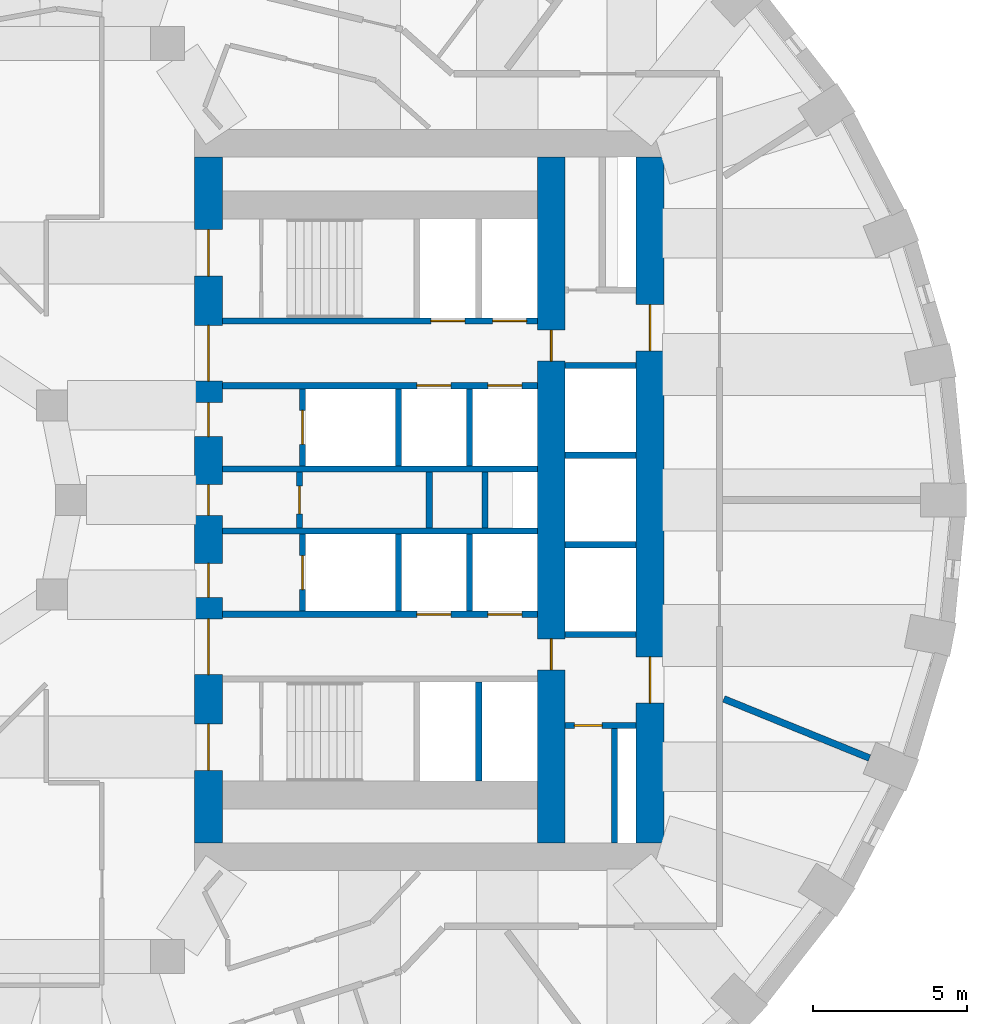
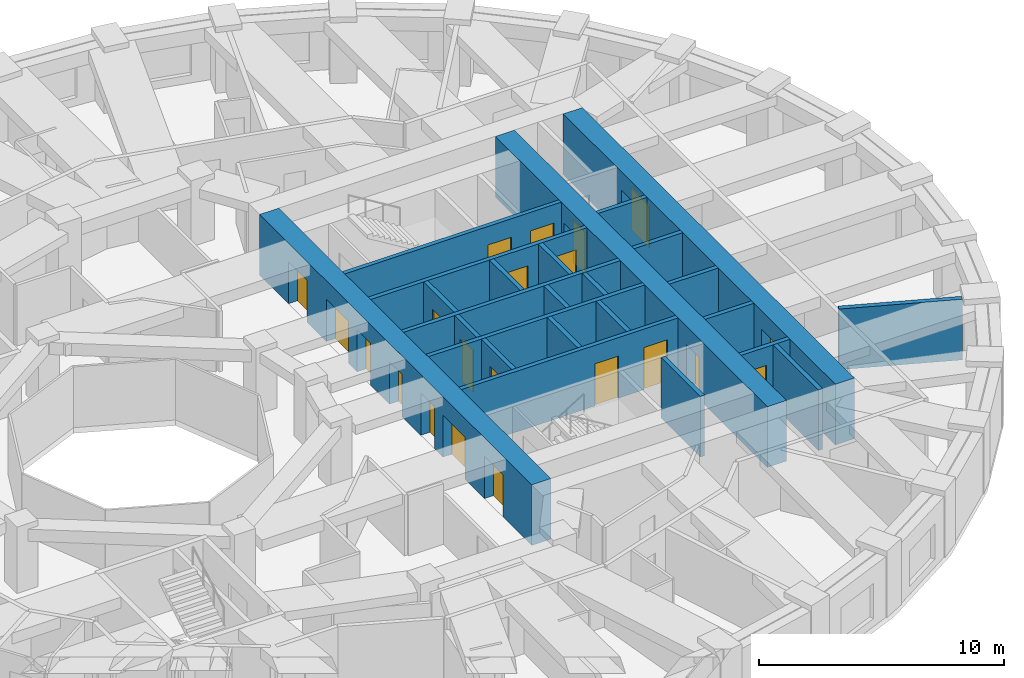
# One storey, part 6 of 13: 25 walls, 21 doors, 21 openings.
"""IFC4 building model written with IfcOpenShell, lengths in metres."""

from ifc_helpers import new_model, si_unit, direction, frame, frame_2d, origin, place, context, subcontext, project, spatial, rectangle, extrude, material, layer, layer_set, type_object, element, fill, save


model = new_model("IFC4")

# Units and contexts
model_context = context("Model", 3, precision=1e-05, world=origin(), true_north=direction((0.0, 1.0)))
body_context = subcontext(model_context, "Body", "Model", "MODEL_VIEW")
ifc_project = project(units=[si_unit("LENGTHUNIT", "METRE"), si_unit("AREAUNIT", "SQUARE_METRE"), si_unit("VOLUMEUNIT", "CUBIC_METRE"), si_unit("PLANEANGLEUNIT", "RADIAN"), si_unit("MASSUNIT", "GRAM", prefix="KILO")], contexts=[model_context])

# Site, building, storey
site_placement = place(None, origin())
site = spatial("IfcSite", under=ifc_project, at=site_placement, CompositionType="ELEMENT")
building_placement = place(site_placement, origin())
building = spatial("IfcBuilding", under=site, at=building_placement, Name="Taillehof Tower", CompositionType="ELEMENT")
storey_placement = place(building_placement, frame((0.0, 0.0, 48.10009765625)))
storey = spatial("IfcBuildingStorey", under=building, at=storey_placement, Name="L12", CompositionType="ELEMENT", Elevation=48.10009765625)

# Wall, opening, door
ifc_material_1 = material(Name="Calcium silicate masonry", Category="masonry")
ifc_layer_1 = layer(ifc_material_1, 0.199951171875)
ifc_layer_set_1 = layer_set([ifc_layer_1], Name="Compartment wall calcium silicate 200")
wall_type_1 = type_object("IfcWallType", Name="Compartment wall calcium silicate 200", PredefinedType="PARTITIONING", material=ifc_layer_set_1)
wall_1_placement = place(storey_placement, frame((7.39990234375, -0.89990234375, 0.0), z_axis=(0.0, 0.0, 1.0), x_axis=(0.0, 1.0, 0.0)))
wall_1 = element("IfcWall", 1, at=wall_1_placement, inside=storey, type_object=wall_type_1, Name="Compartment wall FW", PredefinedType="PARTITIONING", context=body_context, shape_type="SweptSolid", body=[
    extrude(rectangle(XDim=1.7998046875, YDim=0.199951171875, at=frame_2d((0.89990234375, 0.0))), origin(), (0.0, 0.0, 1.0), 3.02001953125),
])
opening_1_placement = place(wall_1_placement, frame((0.449951171875, 0.0, 0.0)))
opening_1 = element("IfcOpeningElement", 2, at=opening_1_placement, cuts=wall_1, Name="Opening D1214", PredefinedType="OPENING", context=body_context, shape_type="SweptSolid", body=[
    extrude(rectangle(XDim=0.89990234375, YDim=2.10009765625, at=frame_2d((0.449951171875, 1.050048828125))), frame((0.0, 0.10986328125, 0.0), z_axis=(0.0, -1.0, 0.0), x_axis=(1.0, 0.0, 0.0)), (0.0, 0.0, 1.0), 0.219970703125),
])
ifc_material_2 = material(Name="Steel-faced fire door", Category="steel")
door_type_1 = type_object("IfcDoorType", Name="Riser and service room door 900x2100", OperationType="SINGLE_SWING_LEFT", PredefinedType="DOOR", material=ifc_material_2)
door_1_placement = place(opening_1_placement, origin())
door_1 = element("IfcDoor", 3, at=door_1_placement, inside=storey, type_object=door_type_1, Name="Door Linen Store", OperationType="SINGLE_SWING_RIGHT", OverallHeight=2.10009765625, OverallWidth=0.89990234375, PredefinedType="DOOR", context=body_context, shape_type="SweptSolid", body=[
    extrude(rectangle(XDim=0.89990234375, YDim=2.10009765625, at=frame_2d((0.449951171875, 1.050048828125))), frame((0.0, 0.02490234375, 0.0), z_axis=(0.0, -1.0, 0.0), x_axis=(1.0, 0.0, 0.0)), (0.0, 0.0, 1.0), 0.050048828125),
])
fill(opening_1, door_1)

# Walls
for number, where, z_axis, x_axis, name in (
    (4, (11.60009765625, -0.89990234375, 0.0), (0.0, 0.0, 1.0), (0.0, 1.0, 0.0), "Compartment wall FW"),
    (5, (13.39990234375, -0.89990234375, 0.0), (0.0, 0.0, 1.0), (0.0, 1.0, 0.0), "Compartment wall FW"),
):
    element("IfcWall", number, at=place(storey_placement, frame(where, z_axis=z_axis, x_axis=x_axis)), inside=storey, type_object=wall_type_1, Name=name, PredefinedType="PARTITIONING", context=body_context, shape_type="SweptSolid", body=[
        extrude(rectangle(XDim=1.7998046875, YDim=0.199951171875, at=frame_2d((0.89990234375, 0.0))), origin(), (0.0, 0.0, 1.0), 3.02001953125),
    ])

# Wall, opening, door
wall_2_placement = place(storey_placement, frame((16.0, -7.300048828125, 0.0), z_axis=(0.0, 0.0, 1.0), x_axis=(1.0, 0.0, 0.0)))
wall_2 = element("IfcWall", 6, at=wall_2_placement, inside=storey, type_object=wall_type_1, Name="Compartment wall FW", PredefinedType="PARTITIONING", context=body_context, shape_type="SweptSolid", body=[
    extrude(rectangle(XDim=2.300048828125, YDim=0.199951171875, at=frame_2d((1.14990234375, 0.0))), origin(), (0.0, 0.0, 1.0), 3.02001953125),
])
opening_2_placement = place(wall_2_placement, frame((0.300048828125, 0.0, 0.0)))
opening_2 = element("IfcOpeningElement", 7, at=opening_2_placement, cuts=wall_2, Name="Opening D1218", PredefinedType="OPENING", context=body_context, shape_type="SweptSolid", body=[
    extrude(rectangle(XDim=0.89990234375, YDim=2.10009765625, at=frame_2d((0.449951171875, 1.050048828125))), frame((0.0, 0.10986328125, 0.0), z_axis=(0.0, -1.0, 0.0), x_axis=(1.0, 0.0, 0.0)), (0.0, 0.0, 1.0), 0.219970703125),
])
door_2_placement = place(opening_2_placement, origin())
door_2 = element("IfcDoor", 8, at=door_2_placement, inside=storey, type_object=door_type_1, Name="Door Store", OperationType="SINGLE_SWING_LEFT", OverallHeight=2.10009765625, OverallWidth=0.89990234375, PredefinedType="DOOR", context=body_context, shape_type="SweptSolid", body=[
    extrude(rectangle(XDim=0.89990234375, YDim=2.10009765625, at=frame_2d((0.449951171875, 1.050048828125))), frame((0.0, 0.02490234375, 0.0), z_axis=(0.0, -1.0, 0.0), x_axis=(1.0, 0.0, 0.0)), (0.0, 0.0, 1.0), 0.050048828125),
])
fill(opening_2, door_2)

# Walls
wall_3_placement = place(storey_placement, frame((17.60009765625, -11.10009765625, 0.0), z_axis=(0.0, 0.0, 1.0), x_axis=(0.0, 1.0, 0.0)))
element("IfcWall", 9, at=wall_3_placement, inside=storey, type_object=wall_type_1, Name="Compartment wall FW", PredefinedType="PARTITIONING", context=body_context, shape_type="SweptSolid", body=[
    extrude(rectangle(XDim=3.7001953125, YDim=0.199951171875, at=frame_2d((1.85009765625, 0.0))), origin(), (0.0, 0.0, 1.0), 3.02001953125),
])
ifc_material_3 = material(Name="Gypsum board on double steel studs with mineral wool", Category="steel")
ifc_layer_2 = layer(ifc_material_3, 0.219970703125)
ifc_layer_set_2 = layer_set([ifc_layer_2], Name="Compartment wall guest room 220")
wall_type_2 = type_object("IfcWallType", Name="Compartment wall guest room 220", PredefinedType="PARTITIONING", material=ifc_layer_set_2)
wall_4_placement = place(storey_placement, frame((25.851318359375, -8.35400390625, 0.0), z_axis=(0.0, 0.0, 1.0), x_axis=(-0.926538195631, 0.376200707118, 0.0)))
element("IfcWall", 10, at=wall_4_placement, inside=storey, type_object=wall_type_2, Name="Compartment wall", PredefinedType="PARTITIONING", context=body_context, shape_type="SweptSolid", body=[
    extrude(rectangle(XDim=5.087890625, YDim=0.219970703125, at=frame_2d((2.5439453125, 0.0))), origin(), (0.0, 0.0, 1.0), 3.02001953125),
])

# Wall, openings, doors
ifc_material_4 = material(Name="Concrete C80/95", Category="concrete")
ifc_layer_3 = layer(ifc_material_4, 0.89990234375)
ifc_layer_set_3 = layer_set([ifc_layer_3], Name="Core wall C80/95 900")
wall_type_3 = type_object("IfcWallType", Name="Core wall C80/95 900", PredefinedType="SHEAR", material=ifc_layer_set_3)
wall_5_placement = place(storey_placement, frame((4.449951171875, -11.10009765625, 0.0), z_axis=(0.0, 0.0, 1.0), x_axis=(0.0, 1.0, 0.0)))
wall_5 = element("IfcWall", 11, at=wall_5_placement, inside=storey, type_object=wall_type_3, Name="Core wall CW01", PredefinedType="SHEAR", context=body_context, shape_type="SweptSolid", body=[
    extrude(rectangle(XDim=22.2001953125, YDim=0.89990234375, at=frame_2d((11.10009765625, 0.0))), origin(), (0.0, 0.0, 1.0), 3.02001953125),
])
opening_3_placement = place(wall_5_placement, frame((2.35009765625, 0.0, 0.0)))
opening_3 = element("IfcOpeningElement", 12, at=opening_3_placement, cuts=wall_5, Name="Opening D1201", PredefinedType="OPENING", context=body_context, shape_type="SweptSolid", body=[
    extrude(rectangle(XDim=1.5, YDim=2.10009765625, at=frame_2d((0.75, 1.050048828125))), frame((0.0, 0.4599609375, 0.0), z_axis=(0.0, -1.0, 0.0), x_axis=(1.0, 0.0, 0.0)), (0.0, 0.0, 1.0), 0.919921875),
])
opening_4_placement = place(wall_5_placement, frame((5.449951171875, 0.0, 0.0)))
opening_4 = element("IfcOpeningElement", 13, at=opening_4_placement, cuts=wall_5, Name="Opening D1202", PredefinedType="OPENING", context=body_context, shape_type="SweptSolid", body=[
    extrude(rectangle(XDim=1.800048828125, YDim=2.10009765625, at=frame_2d((0.89990234375, 1.050048828125))), frame((0.0, 0.4599609375, 0.0), z_axis=(0.0, -1.0, 0.0), x_axis=(1.0, 0.0, 0.0)), (0.0, 0.0, 1.0), 0.919921875),
])
opening_5_placement = place(wall_5_placement, frame((7.949951171875, 0.0, 0.0)))
opening_5 = element("IfcOpeningElement", 14, at=opening_5_placement, cuts=wall_5, Name="Opening D1203", PredefinedType="OPENING", context=body_context, shape_type="SweptSolid", body=[
    extrude(rectangle(XDim=1.10009765625, YDim=2.10009765625, at=frame_2d((0.550048828125, 1.050048828125))), frame((0.0, 0.4599609375, 0.0), z_axis=(0.0, -1.0, 0.0), x_axis=(1.0, 0.0, 0.0)), (0.0, 0.0, 1.0), 0.919921875),
])
opening_6_placement = place(wall_5_placement, frame((10.60009765625, 0.0, 0.0)))
opening_6 = element("IfcOpeningElement", 15, at=opening_6_placement, cuts=wall_5, Name="Opening D1204", PredefinedType="OPENING", context=body_context, shape_type="SweptSolid", body=[
    extrude(rectangle(XDim=1.0, YDim=2.10009765625, at=frame_2d((0.5, 1.050048828125))), frame((0.0, 0.4599609375, 0.0), z_axis=(0.0, -1.0, 0.0), x_axis=(1.0, 0.0, 0.0)), (0.0, 0.0, 1.0), 0.919921875),
])
opening_7_placement = place(wall_5_placement, frame((13.14990234375, 0.0, 0.0)))
opening_7 = element("IfcOpeningElement", 16, at=opening_7_placement, cuts=wall_5, Name="Opening D1205", PredefinedType="OPENING", context=body_context, shape_type="SweptSolid", body=[
    extrude(rectangle(XDim=1.10009765625, YDim=2.10009765625, at=frame_2d((0.550048828125, 1.050048828125))), frame((0.0, 0.4599609375, 0.0), z_axis=(0.0, -1.0, 0.0), x_axis=(1.0, 0.0, 0.0)), (0.0, 0.0, 1.0), 0.919921875),
])
opening_8_placement = place(wall_5_placement, frame((14.949951171875, 0.0, 0.0)))
opening_8 = element("IfcOpeningElement", 17, at=opening_8_placement, cuts=wall_5, Name="Opening D1206", PredefinedType="OPENING", context=body_context, shape_type="SweptSolid", body=[
    extrude(rectangle(XDim=1.800048828125, YDim=2.10009765625, at=frame_2d((0.89990234375, 1.050048828125))), frame((0.0, 0.4599609375, 0.0), z_axis=(0.0, -1.0, 0.0), x_axis=(1.0, 0.0, 0.0)), (0.0, 0.0, 1.0), 0.919921875),
])
opening_9_placement = place(wall_5_placement, frame((18.35009765625, 0.0, 0.0)))
opening_9 = element("IfcOpeningElement", 18, at=opening_9_placement, cuts=wall_5, Name="Opening D1207", PredefinedType="OPENING", context=body_context, shape_type="SweptSolid", body=[
    extrude(rectangle(XDim=1.5, YDim=2.10009765625, at=frame_2d((0.75, 1.050048828125))), frame((0.0, 0.4599609375, 0.0), z_axis=(0.0, -1.0, 0.0), x_axis=(1.0, 0.0, 0.0)), (0.0, 0.0, 1.0), 0.919921875),
])
ifc_material_5 = material(Name="Steel-faced fire door", Category="steel")
door_type_2 = type_object("IfcDoorType", Name="Firefighting lobby door 1100x2100", OperationType="SINGLE_SWING_RIGHT", PredefinedType="DOOR", material=ifc_material_5)
door_3_placement = place(opening_5_placement, origin())
door_3 = element("IfcDoor", 19, at=door_3_placement, inside=storey, type_object=door_type_2, Name="Firefighting lobby door FFL-S", OperationType="SINGLE_SWING_RIGHT", OverallHeight=2.10009765625, OverallWidth=1.10009765625, PredefinedType="DOOR", context=body_context, shape_type="SweptSolid", body=[
    extrude(rectangle(XDim=1.10009765625, YDim=2.10009765625, at=frame_2d((0.550048828125, 1.050048828125))), frame((0.0, 0.02490234375, 0.0), z_axis=(0.0, -1.0, 0.0), x_axis=(1.0, 0.0, 0.0)), (0.0, 0.0, 1.0), 0.050048828125),
])
fill(opening_5, door_3)
door_4_placement = place(opening_7_placement, origin())
door_4 = element("IfcDoor", 20, at=door_4_placement, inside=storey, type_object=door_type_2, Name="Firefighting lobby door FFL-N", OperationType="SINGLE_SWING_LEFT", OverallHeight=2.10009765625, OverallWidth=1.10009765625, PredefinedType="DOOR", context=body_context, shape_type="SweptSolid", body=[
    extrude(rectangle(XDim=1.10009765625, YDim=2.10009765625, at=frame_2d((0.550048828125, 1.050048828125))), frame((0.0, 0.02490234375, 0.0), z_axis=(0.0, -1.0, 0.0), x_axis=(1.0, 0.0, 0.0)), (0.0, 0.0, 1.0), 0.050048828125),
])
fill(opening_7, door_4)
ifc_material_6 = material(Name="Steel-faced fire door", Category="steel")
door_type_3 = type_object("IfcDoorType", Name="Lift lobby door 1800x2100", OperationType="DOUBLE_DOOR_SINGLE_SWING", PredefinedType="DOOR", material=ifc_material_6)
door_5_placement = place(opening_4_placement, origin())
door_5 = element("IfcDoor", 21, at=door_5_placement, inside=storey, type_object=door_type_3, Name="Lift lobby door LL-S", OperationType="DOUBLE_DOOR_SINGLE_SWING", OverallHeight=2.10009765625, OverallWidth=1.800048828125, PredefinedType="DOOR", context=body_context, shape_type="SweptSolid", body=[
    extrude(rectangle(XDim=1.800048828125, YDim=2.10009765625, at=frame_2d((0.89990234375, 1.050048828125))), frame((0.0, 0.02490234375, 0.0), z_axis=(0.0, -1.0, 0.0), x_axis=(1.0, 0.0, 0.0)), (0.0, 0.0, 1.0), 0.050048828125),
])
fill(opening_4, door_5)
door_6_placement = place(opening_8_placement, origin())
door_6 = element("IfcDoor", 22, at=door_6_placement, inside=storey, type_object=door_type_3, Name="Lift lobby door LL-N", OperationType="DOUBLE_DOOR_SINGLE_SWING", OverallHeight=2.10009765625, OverallWidth=1.800048828125, PredefinedType="DOOR", context=body_context, shape_type="SweptSolid", body=[
    extrude(rectangle(XDim=1.800048828125, YDim=2.10009765625, at=frame_2d((0.89990234375, 1.050048828125))), frame((0.0, 0.02490234375, 0.0), z_axis=(0.0, -1.0, 0.0), x_axis=(1.0, 0.0, 0.0)), (0.0, 0.0, 1.0), 0.050048828125),
])
fill(opening_8, door_6)
ifc_material_7 = material(Name="Steel-faced fire door", Category="steel")
door_type_4 = type_object("IfcDoorType", Name="Service door 1000x2100", OperationType="SINGLE_SWING_RIGHT", PredefinedType="DOOR", material=ifc_material_7)
door_7_placement = place(opening_6_placement, origin())
door_7 = element("IfcDoor", 23, at=door_7_placement, inside=storey, type_object=door_type_4, Name="Service door SV", OperationType="SINGLE_SWING_RIGHT", OverallHeight=2.10009765625, OverallWidth=1.0, PredefinedType="DOOR", context=body_context, shape_type="SweptSolid", body=[
    extrude(rectangle(XDim=1.0, YDim=2.10009765625, at=frame_2d((0.5, 1.050048828125))), frame((0.0, 0.02490234375, 0.0), z_axis=(0.0, -1.0, 0.0), x_axis=(1.0, 0.0, 0.0)), (0.0, 0.0, 1.0), 0.050048828125),
])
fill(opening_6, door_7)
ifc_material_8 = material(Name="Steel-faced fire door", Category="steel")
door_type_5 = type_object("IfcDoorType", Name="Stair door 1500x2100", OperationType="DOUBLE_DOOR_SINGLE_SWING", PredefinedType="DOOR", material=ifc_material_8)
door_8_placement = place(opening_3_placement, origin())
door_8 = element("IfcDoor", 24, at=door_8_placement, inside=storey, type_object=door_type_5, Name="Stair door S2", OperationType="DOUBLE_DOOR_SINGLE_SWING", OverallHeight=2.10009765625, OverallWidth=1.5, PredefinedType="DOOR", context=body_context, shape_type="SweptSolid", body=[
    extrude(rectangle(XDim=1.5, YDim=2.10009765625, at=frame_2d((0.75, 1.050048828125))), frame((0.0, 0.02490234375, 0.0), z_axis=(0.0, -1.0, 0.0), x_axis=(1.0, 0.0, 0.0)), (0.0, 0.0, 1.0), 0.050048828125),
])
fill(opening_3, door_8)
door_9_placement = place(opening_9_placement, origin())
door_9 = element("IfcDoor", 25, at=door_9_placement, inside=storey, type_object=door_type_5, Name="Stair door S1", OperationType="DOUBLE_DOOR_SINGLE_SWING", OverallHeight=2.10009765625, OverallWidth=1.5, PredefinedType="DOOR", context=body_context, shape_type="SweptSolid", body=[
    extrude(rectangle(XDim=1.5, YDim=2.10009765625, at=frame_2d((0.75, 1.050048828125))), frame((0.0, 0.02490234375, 0.0), z_axis=(0.0, -1.0, 0.0), x_axis=(1.0, 0.0, 0.0)), (0.0, 0.0, 1.0), 0.050048828125),
])
fill(opening_9, door_9)

wall_6_placement = place(storey_placement, frame((18.75, -11.10009765625, 0.0), z_axis=(0.0, 0.0, 1.0), x_axis=(0.0, 1.0, 0.0)))
wall_6 = element("IfcWall", 26, at=wall_6_placement, inside=storey, type_object=wall_type_3, Name="Core wall CW02", PredefinedType="SHEAR", context=body_context, shape_type="SweptSolid", body=[
    extrude(rectangle(XDim=22.2001953125, YDim=0.89990234375, at=frame_2d((11.10009765625, 0.0))), origin(), (0.0, 0.0, 1.0), 3.02001953125),
])
opening_10_placement = place(wall_6_placement, frame((15.925048828125, 0.0, 0.0)))
opening_10 = element("IfcOpeningElement", 27, at=opening_10_placement, cuts=wall_6, Name="Opening D1208", PredefinedType="OPENING", context=body_context, shape_type="SweptSolid", body=[
    extrude(rectangle(XDim=1.5, YDim=2.10009765625, at=frame_2d((0.75, 1.050048828125))), frame((0.0, 0.4599609375, 0.0), z_axis=(0.0, -1.0, 0.0), x_axis=(1.0, 0.0, 0.0)), (0.0, 0.0, 1.0), 0.919921875),
])
opening_11_placement = place(wall_6_placement, frame((4.52490234375, 0.0, 0.0)))
opening_11 = element("IfcOpeningElement", 28, at=opening_11_placement, cuts=wall_6, Name="Opening D1209", PredefinedType="OPENING", context=body_context, shape_type="SweptSolid", body=[
    extrude(rectangle(XDim=1.5, YDim=2.10009765625, at=frame_2d((0.75, 1.050048828125))), frame((0.0, 0.4599609375, 0.0), z_axis=(0.0, -1.0, 0.0), x_axis=(1.0, 0.0, 0.0)), (0.0, 0.0, 1.0), 0.919921875),
])
ifc_material_9 = material(Name="Steel-faced fire door", Category="steel")
door_type_6 = type_object("IfcDoorType", Name="Lift lobby east door 1500x2100", OperationType="DOUBLE_DOOR_SINGLE_SWING", PredefinedType="DOOR", material=ifc_material_9)
door_10_placement = place(opening_10_placement, origin())
door_10 = element("IfcDoor", 29, at=door_10_placement, inside=storey, type_object=door_type_6, Name="Lift lobby east door north", OperationType="DOUBLE_DOOR_SINGLE_SWING", OverallHeight=2.10009765625, OverallWidth=1.5, PredefinedType="DOOR", context=body_context, shape_type="SweptSolid", body=[
    extrude(rectangle(XDim=1.5, YDim=2.10009765625, at=frame_2d((0.75, 1.050048828125))), frame((0.0, 0.02490234375, 0.0), z_axis=(0.0, -1.0, 0.0), x_axis=(1.0, 0.0, 0.0)), (0.0, 0.0, 1.0), 0.050048828125),
])
fill(opening_10, door_10)
door_11_placement = place(opening_11_placement, origin())
door_11 = element("IfcDoor", 30, at=door_11_placement, inside=storey, type_object=door_type_6, Name="Lift lobby east door south", OperationType="DOUBLE_DOOR_SINGLE_SWING", OverallHeight=2.10009765625, OverallWidth=1.5, PredefinedType="DOOR", context=body_context, shape_type="SweptSolid", body=[
    extrude(rectangle(XDim=1.5, YDim=2.10009765625, at=frame_2d((0.75, 1.050048828125))), frame((0.0, 0.02490234375, 0.0), z_axis=(0.0, -1.0, 0.0), x_axis=(1.0, 0.0, 0.0)), (0.0, 0.0, 1.0), 0.050048828125),
])
fill(opening_11, door_11)

wall_7_placement = place(storey_placement, frame((15.550048828125, -11.10009765625, 0.0), z_axis=(0.0, 0.0, 1.0), x_axis=(0.0, 1.0, 0.0)))
wall_7 = element("IfcWall", 31, at=wall_7_placement, inside=storey, type_object=wall_type_3, Name="Core wall CW05", PredefinedType="SHEAR", context=body_context, shape_type="SweptSolid", body=[
    extrude(rectangle(XDim=22.2001953125, YDim=0.89990234375, at=frame_2d((11.10009765625, 0.0))), origin(), (0.0, 0.0, 1.0), 3.02001953125),
])
opening_12_placement = place(wall_7_placement, frame((15.60009765625, 0.0, 0.0)))
opening_12 = element("IfcOpeningElement", 32, at=opening_12_placement, cuts=wall_7, Name="Opening D1215", PredefinedType="OPENING", context=body_context, shape_type="SweptSolid", body=[
    extrude(rectangle(XDim=1.0, YDim=2.10009765625, at=frame_2d((0.5, 1.050048828125))), frame((0.0, 0.4599609375, 0.0), z_axis=(0.0, -1.0, 0.0), x_axis=(1.0, 0.0, 0.0)), (0.0, 0.0, 1.0), 0.919921875),
])
opening_13_placement = place(wall_7_placement, frame((5.60009765625, 0.0, 0.0)))
opening_13 = element("IfcOpeningElement", 33, at=opening_13_placement, cuts=wall_7, Name="Opening D1217", PredefinedType="OPENING", context=body_context, shape_type="SweptSolid", body=[
    extrude(rectangle(XDim=1.0, YDim=2.10009765625, at=frame_2d((0.5, 1.050048828125))), frame((0.0, 0.4599609375, 0.0), z_axis=(0.0, -1.0, 0.0), x_axis=(1.0, 0.0, 0.0)), (0.0, 0.0, 1.0), 0.919921875),
])
door_12_placement = place(opening_12_placement, origin())
door_12 = element("IfcDoor", 34, at=door_12_placement, inside=storey, type_object=door_type_4, Name="Service door strip", OperationType="SINGLE_SWING_RIGHT", OverallHeight=2.10009765625, OverallWidth=1.0, PredefinedType="DOOR", context=body_context, shape_type="SweptSolid", body=[
    extrude(rectangle(XDim=1.0, YDim=2.10009765625, at=frame_2d((0.5, 1.050048828125))), frame((0.0, 0.02490234375, 0.0), z_axis=(0.0, -1.0, 0.0), x_axis=(1.0, 0.0, 0.0)), (0.0, 0.0, 1.0), 0.050048828125),
])
fill(opening_12, door_12)
door_13_placement = place(opening_13_placement, origin())
door_13 = element("IfcDoor", 35, at=door_13_placement, inside=storey, type_object=door_type_4, Name="Service door strip", OperationType="SINGLE_SWING_LEFT", OverallHeight=2.10009765625, OverallWidth=1.0, PredefinedType="DOOR", context=body_context, shape_type="SweptSolid", body=[
    extrude(rectangle(XDim=1.0, YDim=2.10009765625, at=frame_2d((0.5, 1.050048828125))), frame((0.0, 0.02490234375, 0.0), z_axis=(0.0, -1.0, 0.0), x_axis=(1.0, 0.0, 0.0)), (0.0, 0.0, 1.0), 0.050048828125),
])
fill(opening_13, door_13)

ifc_material_10 = material(Name="Concrete C50/60", Category="concrete")
ifc_layer_4 = layer(ifc_material_10, 0.199951171875)
ifc_layer_set_4 = layer_set([ifc_layer_4], Name="Shaft wall C50/60 200")
wall_type_4 = type_object("IfcWallType", Name="Shaft wall C50/60 200", PredefinedType="SHEAR", material=ifc_layer_set_4)
wall_8_placement = place(storey_placement, frame((4.89990234375, 5.800048828125, 0.0), z_axis=(0.0, 0.0, 1.0), x_axis=(1.0, 0.0, 0.0)))
wall_8 = element("IfcWall", 36, at=wall_8_placement, inside=storey, type_object=wall_type_4, Name="Shaft wall SW", PredefinedType="SHEAR", context=body_context, shape_type="SweptSolid", body=[
    extrude(rectangle(XDim=10.2001953125, YDim=0.199951171875, at=frame_2d((5.10009765625, 0.0))), origin(), (0.0, 0.0, 1.0), 3.02001953125),
])
opening_14_placement = place(wall_8_placement, frame((6.75, 0.0, 0.0)))
opening_14 = element("IfcOpeningElement", 37, at=opening_14_placement, cuts=wall_8, Name="Opening LD1", PredefinedType="OPENING", context=body_context, shape_type="SweptSolid", body=[
    extrude(rectangle(XDim=1.10009765625, YDim=2.10009765625, at=frame_2d((0.550048828125, 1.050048828125))), frame((0.0, 0.10986328125, 0.0), z_axis=(0.0, -1.0, 0.0), x_axis=(1.0, 0.0, 0.0)), (0.0, 0.0, 1.0), 0.219970703125),
])
opening_15_placement = place(wall_8_placement, frame((8.75, 0.0, 0.0)))
opening_15 = element("IfcOpeningElement", 38, at=opening_15_placement, cuts=wall_8, Name="Opening LD1", PredefinedType="OPENING", context=body_context, shape_type="SweptSolid", body=[
    extrude(rectangle(XDim=1.10009765625, YDim=2.10009765625, at=frame_2d((0.550048828125, 1.050048828125))), frame((0.0, 0.10986328125, 0.0), z_axis=(0.0, -1.0, 0.0), x_axis=(1.0, 0.0, 0.0)), (0.0, 0.0, 1.0), 0.219970703125),
])
ifc_material_11 = material(Name="Stainless steel", Category="steel")
door_type_7 = type_object("IfcDoorType", Name="Lift landing door LD1 1100x2100", OperationType="DOUBLE_DOOR_SLIDING", PredefinedType="DOOR", material=ifc_material_11)
door_14_placement = place(opening_14_placement, origin())
door_14 = element("IfcDoor", 39, at=door_14_placement, inside=storey, type_object=door_type_7, Name="Landing door LR1", OperationType="DOUBLE_DOOR_SLIDING", OverallHeight=2.10009765625, OverallWidth=1.10009765625, PredefinedType="DOOR", context=body_context, shape_type="SweptSolid", body=[
    extrude(rectangle(XDim=1.10009765625, YDim=2.10009765625, at=frame_2d((0.550048828125, 1.050048828125))), frame((0.0, 0.02490234375, 0.0), z_axis=(0.0, -1.0, 0.0), x_axis=(1.0, 0.0, 0.0)), (0.0, 0.0, 1.0), 0.050048828125),
])
fill(opening_14, door_14)
door_15_placement = place(opening_15_placement, origin())
door_15 = element("IfcDoor", 40, at=door_15_placement, inside=storey, type_object=door_type_7, Name="Landing door LR2", OperationType="DOUBLE_DOOR_SLIDING", OverallHeight=2.10009765625, OverallWidth=1.10009765625, PredefinedType="DOOR", context=body_context, shape_type="SweptSolid", body=[
    extrude(rectangle(XDim=1.10009765625, YDim=2.10009765625, at=frame_2d((0.550048828125, 1.050048828125))), frame((0.0, 0.02490234375, 0.0), z_axis=(0.0, -1.0, 0.0), x_axis=(1.0, 0.0, 0.0)), (0.0, 0.0, 1.0), 0.050048828125),
])
fill(opening_15, door_15)

wall_9_placement = place(storey_placement, frame((4.89990234375, 3.699951171875, 0.0), z_axis=(0.0, 0.0, 1.0), x_axis=(1.0, 0.0, 0.0)))
wall_9 = element("IfcWall", 41, at=wall_9_placement, inside=storey, type_object=wall_type_4, Name="Shaft wall SW", PredefinedType="SHEAR", context=body_context, shape_type="SweptSolid", body=[
    extrude(rectangle(XDim=10.2001953125, YDim=0.199951171875, at=frame_2d((5.10009765625, 0.0))), origin(), (0.0, 0.0, 1.0), 3.02001953125),
])
opening_16_placement = place(wall_9_placement, frame((6.300048828125, 0.0, 0.0)))
opening_16 = element("IfcOpeningElement", 42, at=opening_16_placement, cuts=wall_9, Name="Opening LD1", PredefinedType="OPENING", context=body_context, shape_type="SweptSolid", body=[
    extrude(rectangle(XDim=1.10009765625, YDim=2.10009765625, at=frame_2d((0.550048828125, 1.050048828125))), frame((0.0, 0.10986328125, 0.0), z_axis=(0.0, -1.0, 0.0), x_axis=(1.0, 0.0, 0.0)), (0.0, 0.0, 1.0), 0.219970703125),
])
opening_17_placement = place(wall_9_placement, frame((8.60009765625, 0.0, 0.0)))
opening_17 = element("IfcOpeningElement", 43, at=opening_17_placement, cuts=wall_9, Name="Opening LD1", PredefinedType="OPENING", context=body_context, shape_type="SweptSolid", body=[
    extrude(rectangle(XDim=1.10009765625, YDim=2.10009765625, at=frame_2d((0.550048828125, 1.050048828125))), frame((0.0, 0.10986328125, 0.0), z_axis=(0.0, -1.0, 0.0), x_axis=(1.0, 0.0, 0.0)), (0.0, 0.0, 1.0), 0.219970703125),
])
door_16_placement = place(opening_16_placement, origin())
door_16 = element("IfcDoor", 44, at=door_16_placement, inside=storey, type_object=door_type_7, Name="Landing door LR3", OperationType="DOUBLE_DOOR_SLIDING", OverallHeight=2.10009765625, OverallWidth=1.10009765625, PredefinedType="DOOR", context=body_context, shape_type="SweptSolid", body=[
    extrude(rectangle(XDim=1.10009765625, YDim=2.10009765625, at=frame_2d((0.550048828125, 1.050048828125))), frame((0.0, 0.02490234375, 0.0), z_axis=(0.0, -1.0, 0.0), x_axis=(1.0, 0.0, 0.0)), (0.0, 0.0, 1.0), 0.050048828125),
])
fill(opening_16, door_16)
door_17_placement = place(opening_17_placement, origin())
door_17 = element("IfcDoor", 45, at=door_17_placement, inside=storey, type_object=door_type_7, Name="Landing door LR4", OperationType="DOUBLE_DOOR_SLIDING", OverallHeight=2.10009765625, OverallWidth=1.10009765625, PredefinedType="DOOR", context=body_context, shape_type="SweptSolid", body=[
    extrude(rectangle(XDim=1.10009765625, YDim=2.10009765625, at=frame_2d((0.550048828125, 1.050048828125))), frame((0.0, 0.02490234375, 0.0), z_axis=(0.0, -1.0, 0.0), x_axis=(1.0, 0.0, 0.0)), (0.0, 0.0, 1.0), 0.050048828125),
])
fill(opening_17, door_17)

# Walls
for number, where, z_axis, x_axis, name in (
    (46, (4.89990234375, 1.0, 0.0), (0.0, 0.0, 1.0), (1.0, 0.0, 0.0), "Shaft wall SW"),
    (47, (4.89990234375, -1.0, 0.0), (0.0, 0.0, 1.0), (1.0, 0.0, 0.0), "Shaft wall SW"),
):
    element("IfcWall", number, at=place(storey_placement, frame(where, z_axis=z_axis, x_axis=x_axis)), inside=storey, type_object=wall_type_4, Name=name, PredefinedType="SHEAR", context=body_context, shape_type="SweptSolid", body=[
        extrude(rectangle(XDim=10.2001953125, YDim=0.199951171875, at=frame_2d((5.10009765625, 0.0))), origin(), (0.0, 0.0, 1.0), 3.02001953125),
    ])

# Wall, openings, doors
wall_10_placement = place(storey_placement, frame((4.89990234375, -3.699951171875, 0.0), z_axis=(0.0, 0.0, 1.0), x_axis=(1.0, 0.0, 0.0)))
wall_10 = element("IfcWall", 48, at=wall_10_placement, inside=storey, type_object=wall_type_4, Name="Shaft wall SW", PredefinedType="SHEAR", context=body_context, shape_type="SweptSolid", body=[
    extrude(rectangle(XDim=10.2001953125, YDim=0.199951171875, at=frame_2d((5.10009765625, 0.0))), origin(), (0.0, 0.0, 1.0), 3.02001953125),
])
opening_18_placement = place(wall_10_placement, frame((6.300048828125, 0.0, 0.0)))
opening_18 = element("IfcOpeningElement", 49, at=opening_18_placement, cuts=wall_10, Name="Opening LD1", PredefinedType="OPENING", context=body_context, shape_type="SweptSolid", body=[
    extrude(rectangle(XDim=1.10009765625, YDim=2.10009765625, at=frame_2d((0.550048828125, 1.050048828125))), frame((0.0, 0.10986328125, 0.0), z_axis=(0.0, -1.0, 0.0), x_axis=(1.0, 0.0, 0.0)), (0.0, 0.0, 1.0), 0.219970703125),
])
opening_19_placement = place(wall_10_placement, frame((8.60009765625, 0.0, 0.0)))
opening_19 = element("IfcOpeningElement", 50, at=opening_19_placement, cuts=wall_10, Name="Opening LD1", PredefinedType="OPENING", context=body_context, shape_type="SweptSolid", body=[
    extrude(rectangle(XDim=1.10009765625, YDim=2.10009765625, at=frame_2d((0.550048828125, 1.050048828125))), frame((0.0, 0.10986328125, 0.0), z_axis=(0.0, -1.0, 0.0), x_axis=(1.0, 0.0, 0.0)), (0.0, 0.0, 1.0), 0.219970703125),
])
door_18_placement = place(opening_18_placement, origin())
door_18 = element("IfcDoor", 51, at=door_18_placement, inside=storey, type_object=door_type_7, Name="Landing door LR5", OperationType="DOUBLE_DOOR_SLIDING", OverallHeight=2.10009765625, OverallWidth=1.10009765625, PredefinedType="DOOR", context=body_context, shape_type="SweptSolid", body=[
    extrude(rectangle(XDim=1.10009765625, YDim=2.10009765625, at=frame_2d((0.550048828125, 1.050048828125))), frame((0.0, 0.02490234375, 0.0), z_axis=(0.0, -1.0, 0.0), x_axis=(1.0, 0.0, 0.0)), (0.0, 0.0, 1.0), 0.050048828125),
])
fill(opening_18, door_18)
door_19_placement = place(opening_19_placement, origin())
door_19 = element("IfcDoor", 52, at=door_19_placement, inside=storey, type_object=door_type_7, Name="Landing door LR6", OperationType="DOUBLE_DOOR_SLIDING", OverallHeight=2.10009765625, OverallWidth=1.10009765625, PredefinedType="DOOR", context=body_context, shape_type="SweptSolid", body=[
    extrude(rectangle(XDim=1.10009765625, YDim=2.10009765625, at=frame_2d((0.550048828125, 1.050048828125))), frame((0.0, 0.02490234375, 0.0), z_axis=(0.0, -1.0, 0.0), x_axis=(1.0, 0.0, 0.0)), (0.0, 0.0, 1.0), 0.050048828125),
])
fill(opening_19, door_19)

# Wall
wall_11_placement = place(storey_placement, frame((13.199951171875, -9.10009765625, 0.0), z_axis=(0.0, 0.0, 1.0), x_axis=(0.0, 1.0, 0.0)))
element("IfcWall", 53, at=wall_11_placement, inside=storey, type_object=wall_type_4, Name="Shaft wall SW", PredefinedType="SHEAR", context=body_context, shape_type="SweptSolid", body=[
    extrude(rectangle(XDim=3.2001953125, YDim=0.199951171875, at=frame_2d((1.60009765625, 0.0))), origin(), (0.0, 0.0, 1.0), 3.02001953125),
])

# Wall, opening, door
wall_12_placement = place(storey_placement, frame((7.5, 1.10009765625, 0.0), z_axis=(0.0, 0.0, 1.0), x_axis=(0.0, 1.0, 0.0)))
wall_12 = element("IfcWall", 54, at=wall_12_placement, inside=storey, type_object=wall_type_4, Name="Shaft wall SW", PredefinedType="SHEAR", context=body_context, shape_type="SweptSolid", body=[
    extrude(rectangle(XDim=2.5, YDim=0.199951171875, at=frame_2d((1.25, 0.0))), origin(), (0.0, 0.0, 1.0), 3.02001953125),
])
opening_20_placement = place(wall_12_placement, frame((0.699951171875, 0.0, 0.0)))
opening_20 = element("IfcOpeningElement", 55, at=opening_20_placement, cuts=wall_12, Name="Opening LD1", PredefinedType="OPENING", context=body_context, shape_type="SweptSolid", body=[
    extrude(rectangle(XDim=1.10009765625, YDim=2.10009765625, at=frame_2d((0.550048828125, 1.050048828125))), frame((0.0, 0.10986328125, 0.0), z_axis=(0.0, -1.0, 0.0), x_axis=(1.0, 0.0, 0.0)), (0.0, 0.0, 1.0), 0.219970703125),
])
door_20_placement = place(opening_20_placement, origin())
door_20 = element("IfcDoor", 56, at=door_20_placement, inside=storey, type_object=door_type_7, Name="Landing door FF1", OperationType="DOUBLE_DOOR_SLIDING", OverallHeight=2.10009765625, OverallWidth=1.10009765625, PredefinedType="DOOR", context=body_context, shape_type="SweptSolid", body=[
    extrude(rectangle(XDim=1.10009765625, YDim=2.10009765625, at=frame_2d((0.550048828125, 1.050048828125))), frame((0.0, 0.02490234375, 0.0), z_axis=(0.0, -1.0, 0.0), x_axis=(1.0, 0.0, 0.0)), (0.0, 0.0, 1.0), 0.050048828125),
])
fill(opening_20, door_20)

wall_13_placement = place(storey_placement, frame((7.5, -3.60009765625, 0.0), z_axis=(0.0, 0.0, 1.0), x_axis=(0.0, 1.0, 0.0)))
wall_13 = element("IfcWall", 57, at=wall_13_placement, inside=storey, type_object=wall_type_4, Name="Shaft wall SW", PredefinedType="SHEAR", context=body_context, shape_type="SweptSolid", body=[
    extrude(rectangle(XDim=2.5, YDim=0.199951171875, at=frame_2d((1.25, 0.0))), origin(), (0.0, 0.0, 1.0), 3.02001953125),
])
opening_21_placement = place(wall_13_placement, frame((0.699951171875, 0.0, 0.0)))
opening_21 = element("IfcOpeningElement", 58, at=opening_21_placement, cuts=wall_13, Name="Opening LD1", PredefinedType="OPENING", context=body_context, shape_type="SweptSolid", body=[
    extrude(rectangle(XDim=1.10009765625, YDim=2.10009765625, at=frame_2d((0.550048828125, 1.050048828125))), frame((0.0, 0.10986328125, 0.0), z_axis=(0.0, -1.0, 0.0), x_axis=(1.0, 0.0, 0.0)), (0.0, 0.0, 1.0), 0.219970703125),
])
door_21_placement = place(opening_21_placement, origin())
door_21 = element("IfcDoor", 59, at=door_21_placement, inside=storey, type_object=door_type_7, Name="Landing door FF2", OperationType="DOUBLE_DOOR_SLIDING", OverallHeight=2.10009765625, OverallWidth=1.10009765625, PredefinedType="DOOR", context=body_context, shape_type="SweptSolid", body=[
    extrude(rectangle(XDim=1.10009765625, YDim=2.10009765625, at=frame_2d((0.550048828125, 1.050048828125))), frame((0.0, 0.02490234375, 0.0), z_axis=(0.0, -1.0, 0.0), x_axis=(1.0, 0.0, 0.0)), (0.0, 0.0, 1.0), 0.050048828125),
])
fill(opening_21, door_21)

# Walls
for number, where, z_axis, x_axis, name in (
    (60, (10.60009765625, 1.10009765625, 0.0), (0.0, 0.0, 1.0), (0.0, 1.0, 0.0), "Shaft wall SW"),
    (61, (10.60009765625, -3.60009765625, 0.0), (0.0, 0.0, 1.0), (0.0, 1.0, 0.0), "Shaft wall SW"),
    (62, (12.89990234375, 1.10009765625, 0.0), (0.0, 0.0, 1.0), (0.0, 1.0, 0.0), "Shaft wall SW"),
    (63, (12.89990234375, -3.60009765625, 0.0), (0.0, 0.0, 1.0), (0.0, 1.0, 0.0), "Shaft wall SW"),
):
    element("IfcWall", number, at=place(storey_placement, frame(where, z_axis=z_axis, x_axis=x_axis)), inside=storey, type_object=wall_type_4, Name=name, PredefinedType="SHEAR", context=body_context, shape_type="SweptSolid", body=[
        extrude(rectangle(XDim=2.5, YDim=0.199951171875, at=frame_2d((1.25, 0.0))), origin(), (0.0, 0.0, 1.0), 3.02001953125),
    ])
for number, where, z_axis, x_axis, name in (
    (64, (16.0, -4.35009765625, 0.0), (0.0, 0.0, 1.0), (1.0, 0.0, 0.0), "Shaft wall SW"),
    (65, (16.0, -1.449951171875, 0.0), (0.0, 0.0, 1.0), (1.0, 0.0, 0.0), "Shaft wall SW"),
    (66, (16.0, 1.449951171875, 0.0), (0.0, 0.0, 1.0), (1.0, 0.0, 0.0), "Shaft wall SW"),
    (67, (16.0, 4.35009765625, 0.0), (0.0, 0.0, 1.0), (1.0, 0.0, 0.0), "Shaft wall SW"),
):
    element("IfcWall", number, at=place(storey_placement, frame(where, z_axis=z_axis, x_axis=x_axis)), inside=storey, type_object=wall_type_4, Name=name, PredefinedType="SHEAR", context=body_context, shape_type="SweptSolid", body=[
        extrude(rectangle(XDim=2.300048828125, YDim=0.199951171875, at=frame_2d((1.14990234375, 0.0))), origin(), (0.0, 0.0, 1.0), 3.02001953125),
    ])

save(model, "model.ifc")
